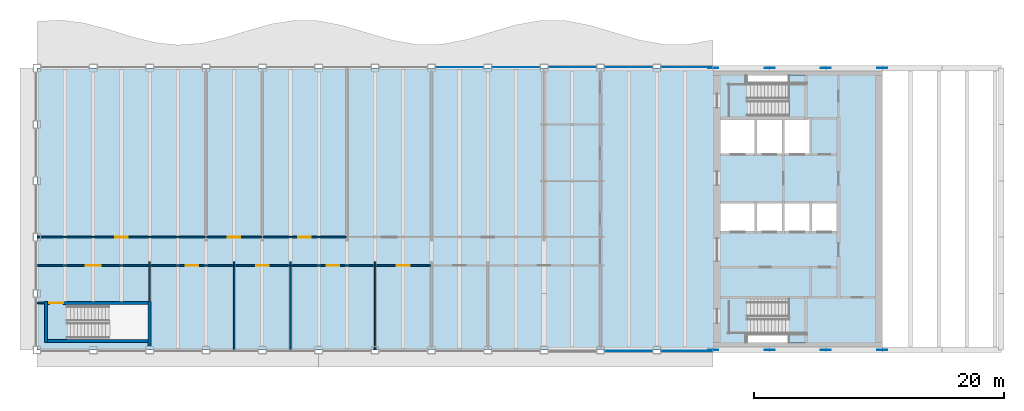
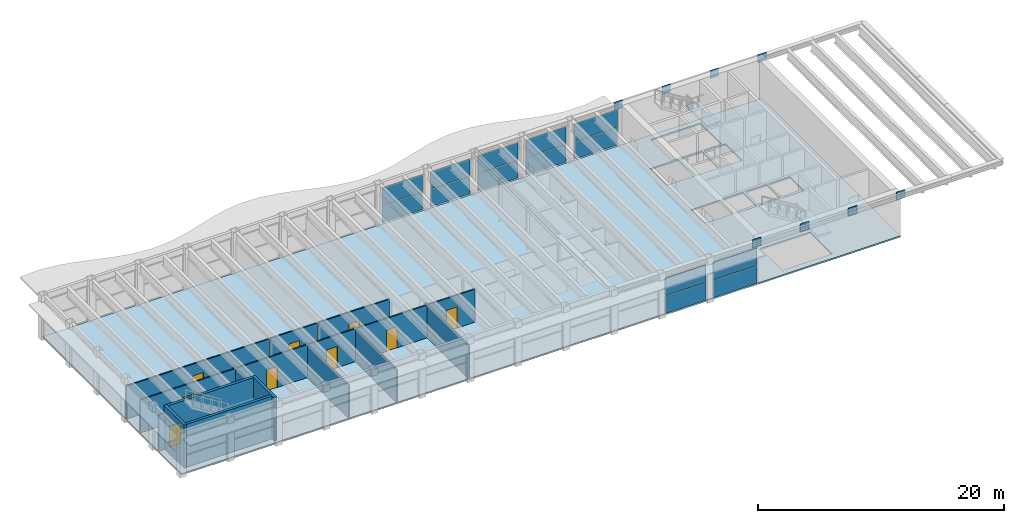
# One storey, part 9 of 15: 22 plates, 17 walls, 9 doors, 3 slabs, 9 openings, 9 elements without a shape of their own.
"""IFC4 building model written with IfcOpenShell, lengths in metres."""

from ifc_helpers import new_model, si_unit, direction, frame, frame_2d, origin, origin_2d, place, context, subcontext, project, spatial, polyline, rectangle, outline, extrude, material, layer, layer_set, type_object, element, fill, aggregate, save


model = new_model("IFC4")

# Units and contexts
model_context = context("Model", 3, precision=1e-05, world=origin(), true_north=direction((0.0, 1.0)))
body_context = subcontext(model_context, "Body", "Model", "MODEL_VIEW")
ifc_project = project(units=[si_unit("LENGTHUNIT", "METRE"), si_unit("AREAUNIT", "SQUARE_METRE"), si_unit("VOLUMEUNIT", "CUBIC_METRE"), si_unit("PLANEANGLEUNIT", "RADIAN"), si_unit("MASSUNIT", "GRAM", prefix="KILO")], contexts=[model_context])

# Site, building, storey
site_placement = place(None, origin())
site = spatial("IfcSite", under=ifc_project, at=site_placement, CompositionType="ELEMENT")
building_placement = place(site_placement, origin())
building = spatial("IfcBuilding", under=site, at=building_placement, Name="Sennacour Bend Tower", CompositionType="ELEMENT")
storey_placement = place(building_placement, frame((0.0, 0.0, 341.0)))
storey = spatial("IfcBuildingStorey", under=building, at=storey_placement, Name="L78", CompositionType="ELEMENT", Elevation=341.0)

# Plates
ifc_material_1 = material(Name="Steel ASTM A572 Grade 50", Category="steel")
ifc_layer_1 = layer(ifc_material_1, 0.0400390625, Name="Steel ASTM A572 Grade 50", Category="steel")
ifc_layer_set_1 = layer_set([ifc_layer_1], Name="Steel ASTM A572 Grade 50")
plate_type_1 = type_object("IfcPlateType", Name="Cast-in plate 40", PredefinedType="USERDEFINED", material=ifc_layer_set_1)
for number, where, z_axis, x_axis, name in (
    (1, (54.0, 0.0, 3.65087890625), (0.0, 0.0, 1.0), (1.0, 0.0, 0.0), "Cast-in plate CP 40"),
    (2, (58.5, 0.0, 3.65087890625), (0.0, 0.0, 1.0), (1.0, 0.0, 0.0), "Cast-in plate CP 40"),
    (3, (63.0, 0.0, 3.65087890625), (0.0, 0.0, 1.0), (1.0, 0.0, 0.0), "Cast-in plate CP 40"),
    (4, (67.5, 0.0, 3.65087890625), (0.0, 0.0, 1.0), (1.0, 0.0, 0.0), "Cast-in plate CP 40"),
    (5, (54.0, 22.5, 3.65087890625), (0.0, 0.0, 1.0), (1.0, 0.0, 0.0), "Cast-in plate CP 40"),
    (6, (58.5, 22.5, 3.65087890625), (0.0, 0.0, 1.0), (1.0, 0.0, 0.0), "Cast-in plate CP 40"),
    (7, (63.0, 22.5, 3.65087890625), (0.0, 0.0, 1.0), (1.0, 0.0, 0.0), "Cast-in plate CP 40"),
    (8, (67.5, 22.5, 3.65087890625), (0.0, 0.0, 1.0), (1.0, 0.0, 0.0), "Cast-in plate CP 40"),
):
    element("IfcPlate", number, at=place(storey_placement, frame(where, z_axis=z_axis, x_axis=x_axis)), inside=storey, type_object=plate_type_1, Name=name, ObjectType="CAST-IN PLATE", PredefinedType="USERDEFINED", context=body_context, shape_type="SweptSolid", body=[
        extrude(rectangle(XDim=0.800048828125, YDim=0.0400390625, at=origin_2d()), origin(), (0.0, 0.0, 1.0), 0.800048828125),
    ])

# Slab
ifc_material_2 = material(Name="Concrete C30/37", Category="concrete")
ifc_layer_2 = layer(ifc_material_2, 0.14990234375, Name="Concrete C30/37", Category="concrete")
ifc_layer_set_2 = layer_set([ifc_layer_2], Name="Concrete C30/37")
slab_type_1 = type_object("IfcSlabType", Name="Floor slab 150", PredefinedType="FLOOR", material=ifc_layer_set_2)
slab_1_placement = place(storey_placement, frame((0.0, 0.0, -0.14990234375)))
element("IfcSlab", 9, at=slab_1_placement, inside=storey, type_object=slab_type_1, Name="Floor slab L78-01", PredefinedType="FLOOR", context=body_context, shape_type="SweptSolid", body=[
    extrude(outline(polyline([(0.0, 22.5), (22.5, 22.5), (54.0, 22.5), (67.5, 22.5), (67.5, 0.0), (54.0, 0.0), (22.5, 0.0), (0.0, 0.0), (0.0, 22.5)]), holes=[polyline([(8.800048828125, 3.5), (2.429931640625, 3.5), (2.429931640625, 0.949951171875), (8.800048828125, 0.949951171875), (8.800048828125, 3.5)]), polyline([(61.39990234375, 4.125), (56.72998046875, 4.125), (56.72998046875, 0.550048828125), (61.39990234375, 0.550048828125), (61.39990234375, 4.125)]), polyline([(57.300048828125, 11.699951171875), (54.60009765625, 11.699951171875), (54.60009765625, 9.5), (57.300048828125, 9.5), (57.300048828125, 11.699951171875)]), polyline([(59.5, 9.5), (59.5, 11.699951171875), (57.5, 11.699951171875), (57.5, 9.5), (59.5, 9.5)]), polyline([(61.699951171875, 9.5), (61.699951171875, 11.699951171875), (59.699951171875, 11.699951171875), (59.699951171875, 9.5), (61.699951171875, 9.5)]), polyline([(63.89990234375, 11.699951171875), (61.89990234375, 11.699951171875), (61.89990234375, 9.5), (63.89990234375, 9.5), (63.89990234375, 11.699951171875)]), polyline([(57.300048828125, 18.39990234375), (54.60009765625, 18.39990234375), (54.60009765625, 15.699951171875), (57.300048828125, 15.699951171875), (57.300048828125, 18.39990234375)]), polyline([(59.5, 18.39990234375), (57.5, 18.39990234375), (57.5, 15.699951171875), (59.5, 15.699951171875), (59.5, 18.39990234375)]), polyline([(61.699951171875, 15.699951171875), (61.699951171875, 18.39990234375), (59.699951171875, 18.39990234375), (59.699951171875, 15.699951171875), (61.699951171875, 15.699951171875)]), polyline([(61.39990234375, 18.574951171875), (61.39990234375, 21.949951171875), (56.72998046875, 21.949951171875), (56.72998046875, 18.574951171875), (61.39990234375, 18.574951171875)])]), origin(), (0.0, 0.0, 1.0), 0.14990234375),
])

# Curtain wall, plates
ifc_material_3 = material(Name="Bronze anodised aluminium curtain wall with clear glass", Category="aluminium")
curtain_wall_type = type_object("IfcCurtainWallType", Name="CURTAIN WALL EXEC", PredefinedType="NOTDEFINED", material=ifc_material_3)
curtain_wall_1_placement = place(storey_placement, origin())
curtain_wall_1 = element("IfcCurtainWall", 10, at=curtain_wall_1_placement, inside=storey, type_object=curtain_wall_type, Name="Executive floor glass wall L78", PredefinedType="NOTDEFINED")
ifc_material_4 = material(Name="Clear low-emissivity glass", Category="glass")
ifc_layer_3 = layer(ifc_material_4, 0.031982421875, Name="Clear low-emissivity glass", Category="glass")
ifc_layer_set_3 = layer_set([ifc_layer_3], Name="Clear low-emissivity glass")
plate_type_2 = type_object("IfcPlateType", Name="PNL-GLASS-IGU32", PredefinedType="CURTAIN_PANEL", material=ifc_layer_set_3)
plate_1_placement = place(storey_placement, frame((47.25, -0.074951171875, 0.06005859375), z_axis=(0.0, 0.0, 1.0), x_axis=(1.0, 0.0, 0.0)))
plate_1 = element("IfcPlate", 11, at=plate_1_placement, type_object=plate_type_2, Name="GW3 curtain wall panel 1.1", PredefinedType="CURTAIN_PANEL", context=body_context, shape_type="SweptSolid", body=[
    extrude(rectangle(XDim=3.780029296875, YDim=0.031982421875, at=origin_2d()), origin(), (0.0, 0.0, 1.0), 1.720947265625),
])
plate_2_placement = place(storey_placement, frame((47.25, -0.074951171875, 1.8408203125), z_axis=(0.0, 0.0, 1.0), x_axis=(1.0, 0.0, 0.0)))
plate_2 = element("IfcPlate", 12, at=plate_2_placement, type_object=plate_type_2, Name="GW3 curtain wall panel 1.2", PredefinedType="CURTAIN_PANEL", context=body_context, shape_type="SweptSolid", body=[
    extrude(rectangle(XDim=3.780029296875, YDim=0.031982421875, at=origin_2d()), origin(), (0.0, 0.0, 1.0), 1.720947265625),
])
aggregate(curtain_wall_1, [plate_1, plate_2])

curtain_wall_2_placement = place(storey_placement, origin())
curtain_wall_2 = element("IfcCurtainWall", 13, at=curtain_wall_2_placement, inside=storey, type_object=curtain_wall_type, Name="Executive floor glass wall L78", PredefinedType="NOTDEFINED")
plate_3_placement = place(storey_placement, frame((51.89990234375, -0.074951171875, 0.06005859375), z_axis=(0.0, 0.0, 1.0), x_axis=(1.0, 0.0, 0.0)))
plate_3 = element("IfcPlate", 14, at=plate_3_placement, type_object=plate_type_2, Name="GW3 curtain wall panel 1.1", PredefinedType="CURTAIN_PANEL", context=body_context, shape_type="SweptSolid", body=[
    extrude(rectangle(XDim=4.080078125, YDim=0.031982421875, at=origin_2d()), origin(), (0.0, 0.0, 1.0), 1.720947265625),
])
plate_4_placement = place(storey_placement, frame((51.89990234375, -0.074951171875, 1.8408203125), z_axis=(0.0, 0.0, 1.0), x_axis=(1.0, 0.0, 0.0)))
plate_4 = element("IfcPlate", 15, at=plate_4_placement, type_object=plate_type_2, Name="GW3 curtain wall panel 1.2", PredefinedType="CURTAIN_PANEL", context=body_context, shape_type="SweptSolid", body=[
    extrude(rectangle(XDim=4.080078125, YDim=0.031982421875, at=origin_2d()), origin(), (0.0, 0.0, 1.0), 1.720947265625),
])
aggregate(curtain_wall_2, [plate_3, plate_4])

curtain_wall_3_placement = place(storey_placement, origin())
curtain_wall_3 = element("IfcCurtainWall", 16, at=curtain_wall_3_placement, inside=storey, type_object=curtain_wall_type, Name="Executive floor glass wall L78", PredefinedType="NOTDEFINED")
plate_5_placement = place(storey_placement, frame((51.89990234375, 22.574951171875, 0.06005859375), z_axis=(0.0, 0.0, 1.0), x_axis=(-1.0, 0.0, 0.0)))
plate_5 = element("IfcPlate", 17, at=plate_5_placement, type_object=plate_type_2, Name="GW3 curtain wall panel 1.1", PredefinedType="CURTAIN_PANEL", context=body_context, shape_type="SweptSolid", body=[
    extrude(rectangle(XDim=4.080078125, YDim=0.031982421875, at=origin_2d()), origin(), (0.0, 0.0, 1.0), 1.720947265625),
])
plate_6_placement = place(storey_placement, frame((51.89990234375, 22.574951171875, 1.8408203125), z_axis=(0.0, 0.0, 1.0), x_axis=(-1.0, 0.0, 0.0)))
plate_6 = element("IfcPlate", 18, at=plate_6_placement, type_object=plate_type_2, Name="GW3 curtain wall panel 1.2", PredefinedType="CURTAIN_PANEL", context=body_context, shape_type="SweptSolid", body=[
    extrude(rectangle(XDim=4.080078125, YDim=0.031982421875, at=origin_2d()), origin(), (0.0, 0.0, 1.0), 1.720947265625),
])
aggregate(curtain_wall_3, [plate_5, plate_6])

curtain_wall_4_placement = place(storey_placement, origin())
curtain_wall_4 = element("IfcCurtainWall", 19, at=curtain_wall_4_placement, inside=storey, type_object=curtain_wall_type, Name="Executive floor glass wall L78", PredefinedType="NOTDEFINED")
plate_7_placement = place(storey_placement, frame((47.25, 22.574951171875, 0.06005859375), z_axis=(0.0, 0.0, 1.0), x_axis=(-1.0, 0.0, 0.0)))
plate_7 = element("IfcPlate", 20, at=plate_7_placement, type_object=plate_type_2, Name="GW3 curtain wall panel 1.1", PredefinedType="CURTAIN_PANEL", context=body_context, shape_type="SweptSolid", body=[
    extrude(rectangle(XDim=3.780029296875, YDim=0.031982421875, at=origin_2d()), origin(), (0.0, 0.0, 1.0), 1.720947265625),
])
plate_8_placement = place(storey_placement, frame((47.25, 22.574951171875, 1.8408203125), z_axis=(0.0, 0.0, 1.0), x_axis=(-1.0, 0.0, 0.0)))
plate_8 = element("IfcPlate", 21, at=plate_8_placement, type_object=plate_type_2, Name="GW3 curtain wall panel 1.2", PredefinedType="CURTAIN_PANEL", context=body_context, shape_type="SweptSolid", body=[
    extrude(rectangle(XDim=3.780029296875, YDim=0.031982421875, at=origin_2d()), origin(), (0.0, 0.0, 1.0), 1.720947265625),
])
aggregate(curtain_wall_4, [plate_7, plate_8])

curtain_wall_5_placement = place(storey_placement, origin())
curtain_wall_5 = element("IfcCurtainWall", 22, at=curtain_wall_5_placement, inside=storey, type_object=curtain_wall_type, Name="Executive floor glass wall L78", PredefinedType="NOTDEFINED")
plate_9_placement = place(storey_placement, frame((42.75, 22.574951171875, 0.06005859375), z_axis=(0.0, 0.0, 1.0), x_axis=(-1.0, 0.0, 0.0)))
plate_9 = element("IfcPlate", 23, at=plate_9_placement, type_object=plate_type_2, Name="GW3 curtain wall panel 1.1", PredefinedType="CURTAIN_PANEL", context=body_context, shape_type="SweptSolid", body=[
    extrude(rectangle(XDim=3.780029296875, YDim=0.031982421875, at=origin_2d()), origin(), (0.0, 0.0, 1.0), 1.720947265625),
])
plate_10_placement = place(storey_placement, frame((42.75, 22.574951171875, 1.8408203125), z_axis=(0.0, 0.0, 1.0), x_axis=(-1.0, 0.0, 0.0)))
plate_10 = element("IfcPlate", 24, at=plate_10_placement, type_object=plate_type_2, Name="GW3 curtain wall panel 1.2", PredefinedType="CURTAIN_PANEL", context=body_context, shape_type="SweptSolid", body=[
    extrude(rectangle(XDim=3.780029296875, YDim=0.031982421875, at=origin_2d()), origin(), (0.0, 0.0, 1.0), 1.720947265625),
])
aggregate(curtain_wall_5, [plate_9, plate_10])

curtain_wall_6_placement = place(storey_placement, origin())
curtain_wall_6 = element("IfcCurtainWall", 25, at=curtain_wall_6_placement, inside=storey, type_object=curtain_wall_type, Name="Executive floor glass wall L78", PredefinedType="NOTDEFINED")
plate_11_placement = place(storey_placement, frame((38.25, 22.574951171875, 0.06005859375), z_axis=(0.0, 0.0, 1.0), x_axis=(-1.0, 0.0, 0.0)))
plate_11 = element("IfcPlate", 26, at=plate_11_placement, type_object=plate_type_2, Name="GW3 curtain wall panel 1.1", PredefinedType="CURTAIN_PANEL", context=body_context, shape_type="SweptSolid", body=[
    extrude(rectangle(XDim=3.780029296875, YDim=0.031982421875, at=origin_2d()), origin(), (0.0, 0.0, 1.0), 1.720947265625),
])
plate_12_placement = place(storey_placement, frame((38.25, 22.574951171875, 1.8408203125), z_axis=(0.0, 0.0, 1.0), x_axis=(-1.0, 0.0, 0.0)))
plate_12 = element("IfcPlate", 27, at=plate_12_placement, type_object=plate_type_2, Name="GW3 curtain wall panel 1.2", PredefinedType="CURTAIN_PANEL", context=body_context, shape_type="SweptSolid", body=[
    extrude(rectangle(XDim=3.780029296875, YDim=0.031982421875, at=origin_2d()), origin(), (0.0, 0.0, 1.0), 1.720947265625),
])
aggregate(curtain_wall_6, [plate_11, plate_12])

curtain_wall_7_placement = place(storey_placement, origin())
curtain_wall_7 = element("IfcCurtainWall", 28, at=curtain_wall_7_placement, inside=storey, type_object=curtain_wall_type, Name="Executive floor glass wall L78", PredefinedType="NOTDEFINED")
plate_13_placement = place(storey_placement, frame((33.75, 22.574951171875, 0.06005859375), z_axis=(0.0, 0.0, 1.0), x_axis=(-1.0, 0.0, 0.0)))
plate_13 = element("IfcPlate", 29, at=plate_13_placement, type_object=plate_type_2, Name="GW3 curtain wall panel 1.1", PredefinedType="CURTAIN_PANEL", context=body_context, shape_type="SweptSolid", body=[
    extrude(rectangle(XDim=3.780029296875, YDim=0.031982421875, at=origin_2d()), origin(), (0.0, 0.0, 1.0), 1.720947265625),
])
plate_14_placement = place(storey_placement, frame((33.75, 22.574951171875, 1.8408203125), z_axis=(0.0, 0.0, 1.0), x_axis=(-1.0, 0.0, 0.0)))
plate_14 = element("IfcPlate", 30, at=plate_14_placement, type_object=plate_type_2, Name="GW3 curtain wall panel 1.2", PredefinedType="CURTAIN_PANEL", context=body_context, shape_type="SweptSolid", body=[
    extrude(rectangle(XDim=3.780029296875, YDim=0.031982421875, at=origin_2d()), origin(), (0.0, 0.0, 1.0), 1.720947265625),
])
aggregate(curtain_wall_7, [plate_13, plate_14])

# Stair, slab
ifc_material_5 = material(Name="Concrete C40/50", Category="concrete")
stair_type = type_object("IfcStairType", Name="ST-DOGLEG", PredefinedType="HALF_TURN_STAIR", material=ifc_material_5)
stair_1_placement = place(storey_placement, origin())
stair_1 = element("IfcStair", 31, at=stair_1_placement, inside=storey, type_object=stair_type, Name="L78 Exit stair A1", PredefinedType="HALF_TURN_STAIR")
ifc_layer_4 = layer(ifc_material_5, 0.199951171875, Name="Concrete C40/50", Category="concrete")
ifc_layer_set_4 = layer_set([ifc_layer_4], Name="Concrete C40/50")
slab_type_2 = type_object("IfcSlabType", Name="Stair landing 200", PredefinedType="LANDING", material=ifc_layer_set_4)
slab_2_placement = place(storey_placement, frame((0.0, 0.0, 2.050048828125)))
slab_2 = element("IfcSlab", 32, at=slab_2_placement, type_object=slab_type_2, Name="SA1 landing 1", PredefinedType="LANDING", context=body_context, shape_type="SweptSolid", body=[
    extrude(outline(polyline([(60.06005859375, 0.550048828125), (61.324951171875, 0.550048828125), (61.324951171875, 4.125), (60.06005859375, 4.125), (60.06005859375, 0.550048828125)])), origin(), (0.0, 0.0, 1.0), 0.199951171875),
])
aggregate(stair_1, [slab_2])

stair_2_placement = place(storey_placement, origin())
stair_2 = element("IfcStair", 33, at=stair_2_placement, inside=storey, type_object=stair_type, Name="L78 Exit stair A2", PredefinedType="HALF_TURN_STAIR")
slab_3_placement = place(storey_placement, frame((0.0, 0.0, 2.050048828125)))
slab_3 = element("IfcSlab", 34, at=slab_3_placement, type_object=slab_type_2, Name="SA2 landing 1", PredefinedType="LANDING", context=body_context, shape_type="SweptSolid", body=[
    extrude(outline(polyline([(60.06005859375, 18.574951171875), (61.324951171875, 18.574951171875), (61.324951171875, 21.949951171875), (60.06005859375, 21.949951171875), (60.06005859375, 18.574951171875)])), origin(), (0.0, 0.0, 1.0), 0.199951171875),
])
aggregate(stair_2, [slab_3])

# Walls
ifc_material_6 = material(Name="Plasterboard partition on steel studs", Category="steel")
ifc_layer_5 = layer(ifc_material_6, 0.1201171875, Name="Plasterboard partition on steel studs", Category="steel")
ifc_layer_set_5 = layer_set([ifc_layer_5], Name="Plasterboard partition on steel studs")
wall_type_1 = type_object("IfcWallType", Name="Partition 120", PredefinedType="PARTITIONING", material=ifc_layer_set_5)
wall_1_placement = place(storey_placement, frame((9.0, 3.875, 0.0), z_axis=(0.0, 0.0, 1.0), x_axis=(0.0, 1.0, 0.0)))
element("IfcWall", 35, at=wall_1_placement, inside=storey, type_object=wall_type_1, Name="P-L78-W005a", PredefinedType="PARTITIONING", context=body_context, shape_type="SweptSolid", body=[
    extrude(rectangle(XDim=3.175048828125, YDim=0.1201171875, at=frame_2d((1.58740234375, 0.0))), origin(), (0.0, 0.0, 1.0), 3.2587890625),
])
for number, where, z_axis, x_axis, name in (
    (36, (15.75, 0.010009765625, 0.0), (0.0, 0.0, 1.0), (0.0, 1.0, 0.0), "P-L78-W007a"),
    (37, (20.25, 0.010009765625, 0.0), (0.0, 0.0, 1.0), (0.0, 1.0, 0.0), "P-L78-W009a"),
    (38, (27.0, 0.010009765625, 0.0), (0.0, 0.0, 1.0), (0.0, 1.0, 0.0), "P-L78-W011a"),
):
    element("IfcWall", number, at=place(storey_placement, frame(where, z_axis=z_axis, x_axis=x_axis)), inside=storey, type_object=wall_type_1, Name=name, PredefinedType="PARTITIONING", context=body_context, shape_type="SweptSolid", body=[
        extrude(rectangle(XDim=7.0400390625, YDim=0.1201171875, at=frame_2d((3.52001953125, 0.0))), origin(), (0.0, 0.0, 1.0), 3.2587890625),
    ])
wall_2_placement = place(storey_placement, frame((0.010009765625, 3.75, 0.0), z_axis=(0.0, 0.0, 1.0), x_axis=(1.0, 0.0, 0.0)))
element("IfcWall", 39, at=wall_2_placement, inside=storey, type_object=wall_type_1, Name="P-L78-W031a", PredefinedType="PARTITIONING", context=body_context, shape_type="SweptSolid", body=[
    extrude(rectangle(XDim=0.590087890625, YDim=0.1201171875, at=frame_2d((0.294921875, 0.0))), origin(), (0.0, 0.0, 1.0), 3.572021484375),
])

# Wall, opening, door
wall_3_placement = place(storey_placement, frame((9.06005859375, 6.75, 0.0), z_axis=(0.0, 0.0, 1.0), x_axis=(1.0, 0.0, 0.0)))
wall_3 = element("IfcWall", 40, at=wall_3_placement, inside=storey, type_object=wall_type_1, Name="P-L78-W036ab", PredefinedType="PARTITIONING", context=body_context, shape_type="SweptSolid", body=[
    extrude(rectangle(XDim=6.6298828125, YDim=0.1201171875, at=frame_2d((3.31494140625, 0.0))), origin(), (0.0, 0.0, 1.0), 3.2587890625),
])
opening_1_placement = place(wall_3_placement, frame((2.81494140625, 0.0, 0.0)))
opening_1 = element("IfcOpeningElement", 41, at=opening_1_placement, cuts=wall_3, Name="Opening OD2", PredefinedType="OPENING", context=body_context, shape_type="SweptSolid", body=[
    extrude(rectangle(XDim=1.0, YDim=2.10009765625, at=frame_2d((0.5, 1.050048828125))), frame((0.0, 0.070068359375, 0.0), z_axis=(0.0, -1.0, 0.0), x_axis=(1.0, 0.0, 0.0)), (0.0, 0.0, 1.0), 0.14013671875),
])
ifc_material_7 = material(Name="Timber", Category="wood")
door_type_1 = type_object("IfcDoorType", Name="DR-OFFICE-1000", OperationType="NOTDEFINED", PredefinedType="DOOR", material=ifc_material_7)
door_1_placement = place(opening_1_placement, origin())
door_1 = element("IfcDoor", 42, at=door_1_placement, inside=storey, type_object=door_type_1, Name="Door", OperationType="SINGLE_SWING_LEFT", OverallHeight=2.10009765625, OverallWidth=1.0, PredefinedType="DOOR", context=body_context, shape_type="SweptSolid", body=[
    extrude(rectangle(XDim=1.0, YDim=2.10009765625, at=frame_2d((0.5, 1.050048828125))), frame((0.0, 0.02490234375, 0.0), z_axis=(0.0, -1.0, 0.0), x_axis=(1.0, 0.0, 0.0)), (0.0, 0.0, 1.0), 0.050048828125),
])
fill(opening_1, door_1)

wall_4_placement = place(storey_placement, frame((15.81005859375, 6.75, 0.0), z_axis=(0.0, 0.0, 1.0), x_axis=(1.0, 0.0, 0.0)))
wall_4 = element("IfcWall", 43, at=wall_4_placement, inside=storey, type_object=wall_type_1, Name="P-L78-W036ac", PredefinedType="PARTITIONING", context=body_context, shape_type="SweptSolid", body=[
    extrude(rectangle(XDim=4.3798828125, YDim=0.1201171875, at=frame_2d((2.18994140625, 0.0))), origin(), (0.0, 0.0, 1.0), 3.2587890625),
])
opening_2_placement = place(wall_4_placement, frame((1.68994140625, 0.0, 0.0)))
opening_2 = element("IfcOpeningElement", 44, at=opening_2_placement, cuts=wall_4, Name="Opening OD2", PredefinedType="OPENING", context=body_context, shape_type="SweptSolid", body=[
    extrude(rectangle(XDim=1.0, YDim=2.10009765625, at=frame_2d((0.5, 1.050048828125))), frame((0.0, 0.070068359375, 0.0), z_axis=(0.0, -1.0, 0.0), x_axis=(1.0, 0.0, 0.0)), (0.0, 0.0, 1.0), 0.14013671875),
])
door_2_placement = place(opening_2_placement, origin())
door_2 = element("IfcDoor", 45, at=door_2_placement, inside=storey, type_object=door_type_1, Name="Door", OperationType="SINGLE_SWING_LEFT", OverallHeight=2.10009765625, OverallWidth=1.0, PredefinedType="DOOR", context=body_context, shape_type="SweptSolid", body=[
    extrude(rectangle(XDim=1.0, YDim=2.10009765625, at=frame_2d((0.5, 1.050048828125))), frame((0.0, 0.02490234375, 0.0), z_axis=(0.0, -1.0, 0.0), x_axis=(1.0, 0.0, 0.0)), (0.0, 0.0, 1.0), 0.050048828125),
])
fill(opening_2, door_2)

wall_5_placement = place(storey_placement, frame((20.31005859375, 6.75, 0.0), z_axis=(0.0, 0.0, 1.0), x_axis=(1.0, 0.0, 0.0)))
wall_5 = element("IfcWall", 46, at=wall_5_placement, inside=storey, type_object=wall_type_1, Name="P-L78-W036ad", PredefinedType="PARTITIONING", context=body_context, shape_type="SweptSolid", body=[
    extrude(rectangle(XDim=6.6298828125, YDim=0.1201171875, at=frame_2d((3.31494140625, 0.0))), origin(), (0.0, 0.0, 1.0), 3.2587890625),
])
opening_3_placement = place(wall_5_placement, frame((2.81494140625, 0.0, 0.0)))
opening_3 = element("IfcOpeningElement", 47, at=opening_3_placement, cuts=wall_5, Name="Opening OD2", PredefinedType="OPENING", context=body_context, shape_type="SweptSolid", body=[
    extrude(rectangle(XDim=1.0, YDim=2.10009765625, at=frame_2d((0.5, 1.050048828125))), frame((0.0, 0.070068359375, 0.0), z_axis=(0.0, -1.0, 0.0), x_axis=(1.0, 0.0, 0.0)), (0.0, 0.0, 1.0), 0.14013671875),
])
door_3_placement = place(opening_3_placement, origin())
door_3 = element("IfcDoor", 48, at=door_3_placement, inside=storey, type_object=door_type_1, Name="Door", OperationType="SINGLE_SWING_LEFT", OverallHeight=2.10009765625, OverallWidth=1.0, PredefinedType="DOOR", context=body_context, shape_type="SweptSolid", body=[
    extrude(rectangle(XDim=1.0, YDim=2.10009765625, at=frame_2d((0.5, 1.050048828125))), frame((0.0, 0.02490234375, 0.0), z_axis=(0.0, -1.0, 0.0), x_axis=(1.0, 0.0, 0.0)), (0.0, 0.0, 1.0), 0.050048828125),
])
fill(opening_3, door_3)

wall_6_placement = place(storey_placement, frame((27.06005859375, 6.75, 0.0), z_axis=(0.0, 0.0, 1.0), x_axis=(1.0, 0.0, 0.0)))
wall_6 = element("IfcWall", 49, at=wall_6_placement, inside=storey, type_object=wall_type_1, Name="P-L78-W036ae", PredefinedType="PARTITIONING", context=body_context, shape_type="SweptSolid", body=[
    extrude(rectangle(XDim=4.3798828125, YDim=0.1201171875, at=frame_2d((2.18994140625, 0.0))), origin(), (0.0, 0.0, 1.0), 3.2587890625),
])
opening_4_placement = place(wall_6_placement, frame((1.68994140625, 0.0, 0.0)))
opening_4 = element("IfcOpeningElement", 50, at=opening_4_placement, cuts=wall_6, Name="Opening OD2", PredefinedType="OPENING", context=body_context, shape_type="SweptSolid", body=[
    extrude(rectangle(XDim=1.0, YDim=2.10009765625, at=frame_2d((0.5, 1.050048828125))), frame((0.0, 0.070068359375, 0.0), z_axis=(0.0, -1.0, 0.0), x_axis=(1.0, 0.0, 0.0)), (0.0, 0.0, 1.0), 0.14013671875),
])
door_4_placement = place(opening_4_placement, origin())
door_4 = element("IfcDoor", 51, at=door_4_placement, inside=storey, type_object=door_type_1, Name="Door", OperationType="SINGLE_SWING_LEFT", OverallHeight=2.10009765625, OverallWidth=1.0, PredefinedType="DOOR", context=body_context, shape_type="SweptSolid", body=[
    extrude(rectangle(XDim=1.0, YDim=2.10009765625, at=frame_2d((0.5, 1.050048828125))), frame((0.0, 0.02490234375, 0.0), z_axis=(0.0, -1.0, 0.0), x_axis=(1.0, 0.0, 0.0)), (0.0, 0.0, 1.0), 0.050048828125),
])
fill(opening_4, door_4)

wall_7_placement = place(storey_placement, frame((0.010009765625, 9.0, 0.0), z_axis=(0.0, 0.0, 1.0), x_axis=(1.0, 0.0, 0.0)))
wall_7 = element("IfcWall", 52, at=wall_7_placement, inside=storey, type_object=wall_type_1, Name="P-L78-W037aa", PredefinedType="PARTITIONING", context=body_context, shape_type="SweptSolid", body=[
    extrude(rectangle(XDim=13.429931640625, YDim=0.1201171875, at=frame_2d((6.71484375, 0.0))), origin(), (0.0, 0.0, 1.0), 3.2587890625),
])
opening_5_placement = place(wall_7_placement, frame((6.22509765625, 0.0, 0.0)))
opening_5 = element("IfcOpeningElement", 53, at=opening_5_placement, cuts=wall_7, Name="Opening OD2", PredefinedType="OPENING", context=body_context, shape_type="SweptSolid", body=[
    extrude(rectangle(XDim=1.0, YDim=2.10009765625, at=frame_2d((0.5, 1.050048828125))), frame((0.0, 0.070068359375, 0.0), z_axis=(0.0, -1.0, 0.0), x_axis=(1.0, 0.0, 0.0)), (0.0, 0.0, 1.0), 0.14013671875),
])
door_5_placement = place(opening_5_placement, origin())
door_5 = element("IfcDoor", 54, at=door_5_placement, inside=storey, type_object=door_type_1, Name="Door", OperationType="SINGLE_SWING_LEFT", OverallHeight=2.10009765625, OverallWidth=1.0, PredefinedType="DOOR", context=body_context, shape_type="SweptSolid", body=[
    extrude(rectangle(XDim=1.0, YDim=2.10009765625, at=frame_2d((0.5, 1.050048828125))), frame((0.0, 0.02490234375, 0.0), z_axis=(0.0, -1.0, 0.0), x_axis=(1.0, 0.0, 0.0)), (0.0, 0.0, 1.0), 0.050048828125),
])
fill(opening_5, door_5)

wall_8_placement = place(storey_placement, frame((13.56005859375, 9.0, 0.0), z_axis=(0.0, 0.0, 1.0), x_axis=(1.0, 0.0, 0.0)))
wall_8 = element("IfcWall", 55, at=wall_8_placement, inside=storey, type_object=wall_type_1, Name="P-L78-W037ab", PredefinedType="PARTITIONING", context=body_context, shape_type="SweptSolid", body=[
    extrude(rectangle(XDim=4.3798828125, YDim=0.1201171875, at=frame_2d((2.18994140625, 0.0))), origin(), (0.0, 0.0, 1.0), 3.2587890625),
])
opening_6_placement = place(wall_8_placement, frame((1.68994140625, 0.0, 0.0)))
opening_6 = element("IfcOpeningElement", 56, at=opening_6_placement, cuts=wall_8, Name="Opening OD2", PredefinedType="OPENING", context=body_context, shape_type="SweptSolid", body=[
    extrude(rectangle(XDim=1.0, YDim=2.10009765625, at=frame_2d((0.5, 1.050048828125))), frame((0.0, 0.070068359375, 0.0), z_axis=(0.0, -1.0, 0.0), x_axis=(1.0, 0.0, 0.0)), (0.0, 0.0, 1.0), 0.14013671875),
])
door_6_placement = place(opening_6_placement, origin())
door_6 = element("IfcDoor", 57, at=door_6_placement, inside=storey, type_object=door_type_1, Name="Door", OperationType="SINGLE_SWING_LEFT", OverallHeight=2.10009765625, OverallWidth=1.0, PredefinedType="DOOR", context=body_context, shape_type="SweptSolid", body=[
    extrude(rectangle(XDim=1.0, YDim=2.10009765625, at=frame_2d((0.5, 1.050048828125))), frame((0.0, 0.02490234375, 0.0), z_axis=(0.0, -1.0, 0.0), x_axis=(1.0, 0.0, 0.0)), (0.0, 0.0, 1.0), 0.050048828125),
])
fill(opening_6, door_6)

wall_9_placement = place(storey_placement, frame((18.06005859375, 9.0, 0.0), z_axis=(0.0, 0.0, 1.0), x_axis=(1.0, 0.0, 0.0)))
wall_9 = element("IfcWall", 58, at=wall_9_placement, inside=storey, type_object=wall_type_1, Name="P-L78-W037ac", PredefinedType="PARTITIONING", context=body_context, shape_type="SweptSolid", body=[
    extrude(rectangle(XDim=6.6298828125, YDim=0.1201171875, at=frame_2d((3.31494140625, 0.0))), origin(), (0.0, 0.0, 1.0), 3.2587890625),
])
opening_7_placement = place(wall_9_placement, frame((2.81494140625, 0.0, 0.0)))
opening_7 = element("IfcOpeningElement", 59, at=opening_7_placement, cuts=wall_9, Name="Opening MD2", PredefinedType="OPENING", context=body_context, shape_type="SweptSolid", body=[
    extrude(rectangle(XDim=1.0, YDim=2.10009765625, at=frame_2d((0.5, 1.050048828125))), frame((0.0, 0.070068359375, 0.0), z_axis=(0.0, -1.0, 0.0), x_axis=(1.0, 0.0, 0.0)), (0.0, 0.0, 1.0), 0.14013671875),
])
door_type_2 = type_object("IfcDoorType", Name="DR-MEETING-1000", OperationType="NOTDEFINED", PredefinedType="DOOR", material=ifc_material_7)
door_7_placement = place(opening_7_placement, origin())
door_7 = element("IfcDoor", 60, at=door_7_placement, inside=storey, type_object=door_type_2, Name="Door", OperationType="SINGLE_SWING_LEFT", OverallHeight=2.10009765625, OverallWidth=1.0, PredefinedType="DOOR", context=body_context, shape_type="SweptSolid", body=[
    extrude(rectangle(XDim=1.0, YDim=2.10009765625, at=frame_2d((0.5, 1.050048828125))), frame((0.0, 0.02490234375, 0.0), z_axis=(0.0, -1.0, 0.0), x_axis=(1.0, 0.0, 0.0)), (0.0, 0.0, 1.0), 0.050048828125),
])
fill(opening_7, door_7)

ifc_layer_6 = layer(ifc_material_6, 0.1201171875, Name="Plasterboard partition on steel studs", Category="steel")
ifc_layer_set_6 = layer_set([ifc_layer_6], Name="Plasterboard partition on steel studs")
wall_type_2 = type_object("IfcWallType", Name="Partition 120 EI 30", PredefinedType="PARTITIONING", material=ifc_layer_set_6)
wall_10_placement = place(storey_placement, frame((0.010009765625, 6.75, 0.0), z_axis=(0.0, 0.0, 1.0), x_axis=(1.0, 0.0, 0.0)))
wall_10 = element("IfcWall", 61, at=wall_10_placement, inside=storey, type_object=wall_type_2, Name="P-L78-W036aa", PredefinedType="PARTITIONING", context=body_context, shape_type="SweptSolid", body=[
    extrude(rectangle(XDim=8.929931640625, YDim=0.1201171875, at=frame_2d((4.46484375, 0.0))), origin(), (0.0, 0.0, 1.0), 3.2587890625),
])
opening_8_placement = place(wall_10_placement, frame((3.875, 0.0, 0.0)))
opening_8 = element("IfcOpeningElement", 62, at=opening_8_placement, cuts=wall_10, Name="Opening KD2", PredefinedType="OPENING", context=body_context, shape_type="SweptSolid", body=[
    extrude(rectangle(XDim=1.199951171875, YDim=2.10009765625, at=frame_2d((0.60009765625, 1.050048828125))), frame((0.0, 0.070068359375, 0.0), z_axis=(0.0, -1.0, 0.0), x_axis=(1.0, 0.0, 0.0)), (0.0, 0.0, 1.0), 0.14013671875),
])
ifc_material_8 = material(Name="Painted steel", Category="steel")
door_type_3 = type_object("IfcDoorType", Name="DR-CORRIDOR-1200", OperationType="NOTDEFINED", PredefinedType="DOOR", material=ifc_material_8)
door_8_placement = place(opening_8_placement, origin())
door_8 = element("IfcDoor", 63, at=door_8_placement, inside=storey, type_object=door_type_3, Name="Door", OperationType="SINGLE_SWING_RIGHT", OverallHeight=2.10009765625, OverallWidth=1.199951171875, PredefinedType="DOOR", context=body_context, shape_type="SweptSolid", body=[
    extrude(rectangle(XDim=1.199951171875, YDim=2.10009765625, at=frame_2d((0.60009765625, 1.050048828125))), frame((0.0, 0.02490234375, 0.0), z_axis=(0.0, -1.0, 0.0), x_axis=(1.0, 0.0, 0.0)), (0.0, 0.0, 1.0), 0.050048828125),
])
fill(opening_8, door_8)

# Walls
ifc_material_9 = material(Name="Concrete C60/75", Category="concrete")
ifc_layer_7 = layer(ifc_material_9, 0.25, Name="Concrete C60/75", Category="concrete")
ifc_layer_set_7 = layer_set([ifc_layer_7], Name="Concrete C60/75")
wall_type_3 = type_object("IfcWallType", Name="Stair wall 250", PredefinedType="SHEAR", material=ifc_layer_set_7)
wall_11_placement = place(storey_placement, frame((0.72509765625, 0.60009765625, 0.0), z_axis=(0.0, 0.0, 1.0), x_axis=(0.0, 1.0, 0.0)))
element("IfcWall", 64, at=wall_11_placement, inside=storey, type_object=wall_type_3, Name="P-L78-W002", PredefinedType="SHEAR", context=body_context, shape_type="SweptSolid", body=[
    extrude(rectangle(XDim=3.27490234375, YDim=0.25, at=frame_2d((1.637451171875, 0.0))), origin(), (0.0, 0.0, 1.0), 4.25),
])
wall_12_placement = place(storey_placement, frame((9.0, 0.300048828125, 0.0), z_axis=(0.0, 0.0, 1.0), x_axis=(0.0, 1.0, 0.0)))
element("IfcWall", 65, at=wall_12_placement, inside=storey, type_object=wall_type_3, Name="P-L78-W004", PredefinedType="SHEAR", context=body_context, shape_type="SweptSolid", body=[
    extrude(rectangle(XDim=3.574951171875, YDim=0.25, at=frame_2d((1.78759765625, 0.0))), origin(), (0.0, 0.0, 1.0), 4.25),
])
wall_13_placement = place(storey_placement, frame((0.85009765625, 0.72509765625, 0.0), z_axis=(0.0, 0.0, 1.0), x_axis=(1.0, 0.0, 0.0)))
element("IfcWall", 66, at=wall_13_placement, inside=storey, type_object=wall_type_3, Name="P-L78-W030", PredefinedType="SHEAR", context=body_context, shape_type="SweptSolid", body=[
    extrude(rectangle(XDim=8.02490234375, YDim=0.25, at=frame_2d((4.012451171875, 0.0))), origin(), (0.0, 0.0, 1.0), 4.25),
])

# Wall, opening, door
wall_14_placement = place(storey_placement, frame((0.85009765625, 3.75, 0.0), z_axis=(0.0, 0.0, 1.0), x_axis=(1.0, 0.0, 0.0)))
wall_14 = element("IfcWall", 67, at=wall_14_placement, inside=storey, type_object=wall_type_3, Name="P-L78-W032", PredefinedType="SHEAR", context=body_context, shape_type="SweptSolid", body=[
    extrude(rectangle(XDim=8.02490234375, YDim=0.25, at=frame_2d((4.012451171875, 0.0))), origin(), (0.0, 0.0, 1.0), 4.25),
])
opening_9_placement = place(wall_14_placement, frame((0.14990234375, 0.0, 0.0)))
opening_9 = element("IfcOpeningElement", 68, at=opening_9_placement, cuts=wall_14, Name="Opening SD", PredefinedType="OPENING", context=body_context, shape_type="SweptSolid", body=[
    extrude(rectangle(XDim=1.10009765625, YDim=2.10009765625, at=frame_2d((0.550048828125, 1.050048828125))), frame((0.0, 0.135009765625, 0.0), z_axis=(0.0, -1.0, 0.0), x_axis=(1.0, 0.0, 0.0)), (0.0, 0.0, 1.0), 0.27001953125),
])
door_type_4 = type_object("IfcDoorType", Name="DR-STAIR-1100", OperationType="NOTDEFINED", PredefinedType="DOOR", material=ifc_material_8)
door_9_placement = place(opening_9_placement, origin())
door_9 = element("IfcDoor", 69, at=door_9_placement, inside=storey, type_object=door_type_4, Name="Door", OperationType="SINGLE_SWING_LEFT", OverallHeight=2.10009765625, OverallWidth=1.10009765625, PredefinedType="DOOR", context=body_context, shape_type="SweptSolid", body=[
    extrude(rectangle(XDim=1.10009765625, YDim=2.10009765625, at=frame_2d((0.550048828125, 1.050048828125))), frame((0.0, 0.02490234375, 0.0), z_axis=(0.0, -1.0, 0.0), x_axis=(1.0, 0.0, 0.0)), (0.0, 0.0, 1.0), 0.050048828125),
])
fill(opening_9, door_9)

save(model, "model.ifc")
